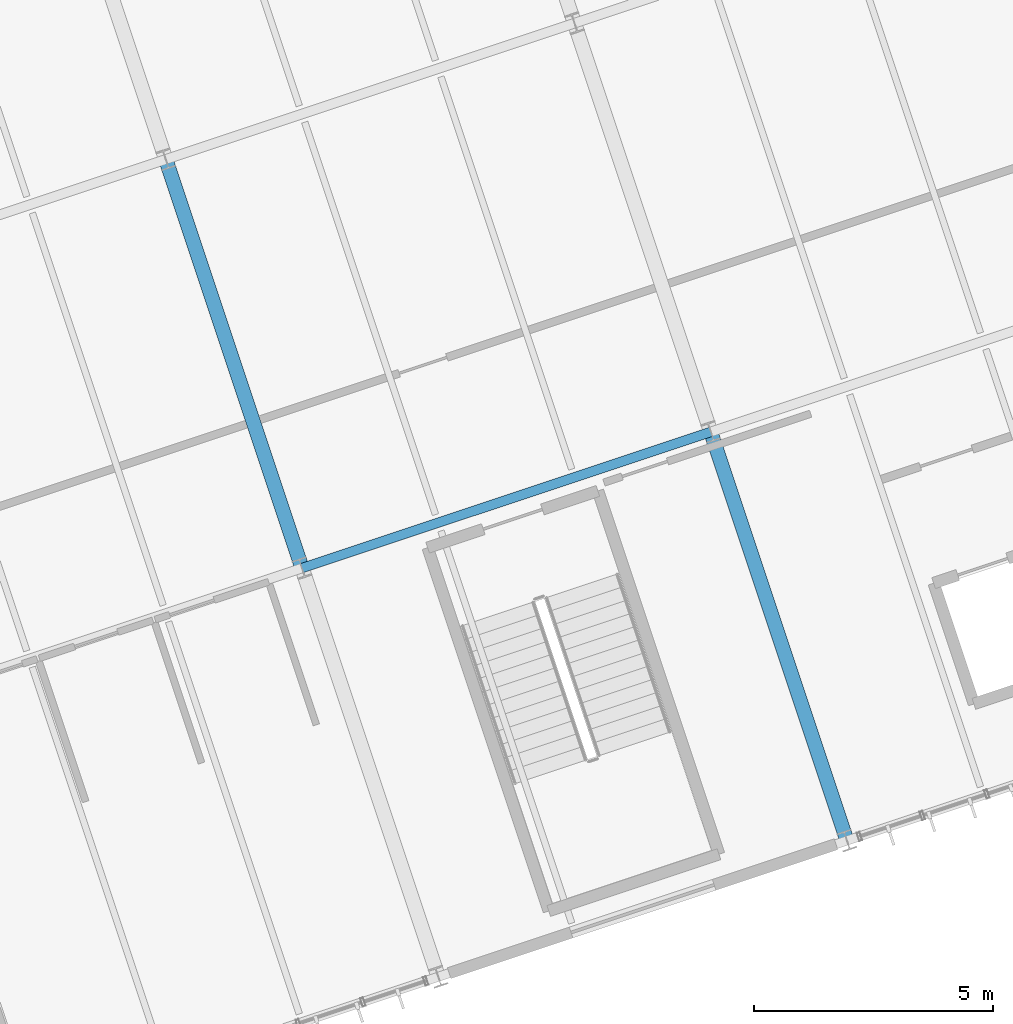
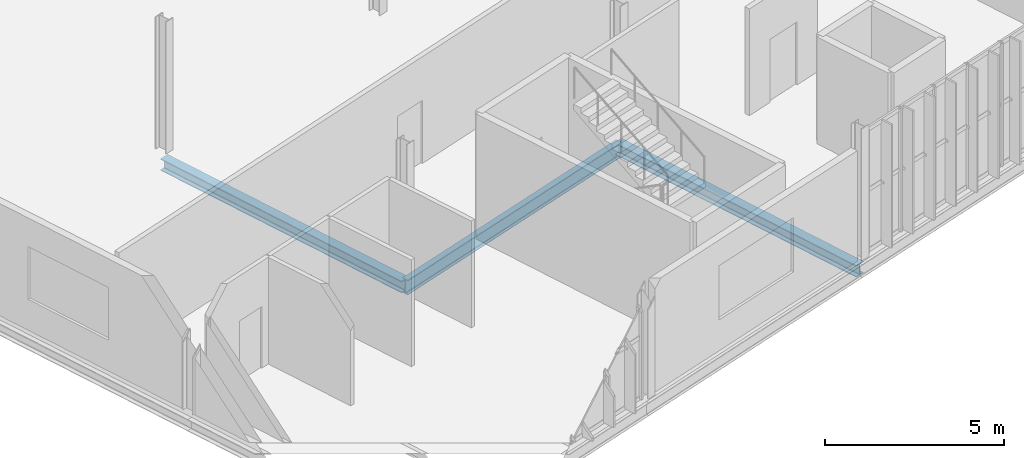
# One storey, part 30 of 152: 3 beams.
"""IFC4 building model written with IfcOpenShell, lengths in metres."""

import ifcopenshell
import ifcopenshell.guid

model = None  # the IFC model being written
_history = None  # IfcOwnerHistory: only IFC2X3 demands one
_inside = {}  # id of a spatial element -> (the spatial element, [elements in it])
_under = {}  # id of a project, library or spatial element -> (it, [spatial elements below it])
_declared = {}  # id of a project -> (the project, [libraries it declares])
_typed = {}  # id of a type object -> (the type object, [elements of that type])
_made_of = {}  # id of a material, layer set ... -> (it, [elements and type objects made of it])


def new_model(schema):
    """Start an empty IFC model of exactly this schema.

    Asked for "IFC4X3", IfcOpenShell would pick the latest addendum, in which some entities
    have other attributes; the version numbers below select the first issue.
    IFC2X3 requires an IfcOwnerHistory on every rooted entity: one is made here for all.
    """
    global model, _history
    if schema == "IFC4X3":
        model = ifcopenshell.file(schema_version=(4, 3, 0, 0))
    else:
        model = ifcopenshell.file(schema=schema)
    _inside.clear()
    _under.clear()
    _declared.clear()
    _typed.clear()
    _made_of.clear()
    _history = None
    if model.schema == "IFC2X3":
        org = make("IfcOrganization", Name="unknown")
        user = make(
            "IfcPersonAndOrganization",
            ThePerson=make("IfcPerson", FamilyName="unknown"),
            TheOrganization=org,
        )
        app = make(
            "IfcApplication",
            ApplicationDeveloper=org,
            Version="unknown",
            ApplicationFullName="unknown",
            ApplicationIdentifier="unknown",
        )
        _history = make(
            "IfcOwnerHistory",
            OwningUser=user,
            OwningApplication=app,
            ChangeAction="ADDED",
            CreationDate=0,
        )
    return model


def make(cls, **values):
    """One entity of the class cls with the attributes given. An attribute that is None is left unset."""
    return model.create_entity(
        cls, **{name: value for name, value in values.items() if value is not None}
    )


def rooted(cls, **values):
    """An entity with a GlobalId (a new one), such as an element, a storey or a relation."""
    return make(cls, GlobalId=ifcopenshell.guid.new(), OwnerHistory=_history, **values)


def si_unit(unit_type, name, prefix=None):
    """IfcSIUnit, for example si_unit("LENGTHUNIT", "METRE", prefix="MILLI")."""
    return make("IfcSIUnit", UnitType=unit_type, Prefix=prefix, Name=name)


def derived_unit(unit_type, elements):
    """IfcDerivedUnit: a product of units, each with its exponent."""
    return make(
        "IfcDerivedUnit",
        Elements=[
            make("IfcDerivedUnitElement", Unit=unit, Exponent=power)
            for unit, power in elements
        ],
        UnitType=unit_type,
    )


def assignment(units):
    """IfcUnitAssignment: the units of a project."""
    return None if units is None else make("IfcUnitAssignment", Units=units)


def point(xyz):
    """IfcCartesianPoint."""
    return None if xyz is None else make("IfcCartesianPoint", Coordinates=xyz)


def direction(xyz):
    """IfcDirection."""
    return None if xyz is None else make("IfcDirection", DirectionRatios=xyz)


def frame(location, z_axis=None, x_axis=None):
    """IfcAxis2Placement3D, a coordinate frame: its origin and axes. An axis left out is left unset."""
    return make(
        "IfcAxis2Placement3D",
        Location=point(location),
        Axis=direction(z_axis),
        RefDirection=direction(x_axis),
    )


def frame_2d(location, x_axis=None):
    """IfcAxis2Placement2D, a coordinate frame in the plane: its origin and x axis."""
    return make(
        "IfcAxis2Placement2D", Location=point(location), RefDirection=direction(x_axis)
    )


def origin():
    """The frame at (0, 0, 0) with its axes left unset."""
    return frame((0.0, 0.0, 0.0))


def origin_2d():
    """The frame at (0, 0) in the plane with its x axis left unset."""
    return frame_2d((0.0, 0.0))


def place(relative_to, where):
    """IfcLocalPlacement: puts the frame where relative to a parent placement (None: the world)."""
    return make(
        "IfcLocalPlacement", PlacementRelTo=relative_to, RelativePlacement=where
    )


def context(
    kind, dimensions, precision=None, world=None, true_north=None, identifier=None
):
    """IfcGeometricRepresentationContext, for example the 3D "Model" context."""
    return make(
        "IfcGeometricRepresentationContext",
        ContextIdentifier=identifier,
        ContextType=kind,
        CoordinateSpaceDimension=dimensions,
        Precision=precision,
        WorldCoordinateSystem=world,
        TrueNorth=true_north,
    )


def subcontext(parent, identifier, kind, view, scale=None):
    """IfcGeometricRepresentationSubContext, for example "Body" below "Model"."""
    return make(
        "IfcGeometricRepresentationSubContext",
        ContextIdentifier=identifier,
        ContextType=kind,
        ParentContext=parent,
        TargetScale=scale,
        TargetView=view,
    )


def project(units=None, contexts=None):
    """IfcProject with its units and contexts."""
    return rooted(
        "IfcProject",
        Name="project",
        RepresentationContexts=contexts,
        UnitsInContext=assignment(units),
    )


def spatial(cls, under=None, at=None, **own):
    """A site, building, storey or space (cls), placed at a placement, below another one or the project."""
    s = rooted(cls, ObjectPlacement=at, **own)
    if under is not None:
        _under.setdefault(under.id(), (under, []))[1].append(s)
    return s


def profile(cls, at=None, kind="AREA", **sizes):
    """A parametric profile (cls). Its sizes go by their IFC names, for example OverallWidth=200.0."""
    return make(cls, ProfileType=kind, Position=at, **sizes)


def i_section(**sizes):
    """IfcIShapeProfileDef."""
    return profile("IfcIShapeProfileDef", **sizes)


def extrude(swept, where, along, depth):
    """IfcExtrudedAreaSolid: the profile swept, set in the frame where, extruded along a direction by depth."""
    return make(
        "IfcExtrudedAreaSolid",
        SweptArea=swept,
        Position=where,
        ExtrudedDirection=direction(along),
        Depth=depth,
    )


def shape(context_of_items, identifier, shape_type, items):
    """IfcShapeRepresentation: the items that make up one representation, for example the "Body"."""
    return make(
        "IfcShapeRepresentation",
        ContextOfItems=context_of_items,
        RepresentationIdentifier=identifier,
        RepresentationType=shape_type,
        Items=items,
    )


def material(Name=None, Category=None):
    """IfcMaterial."""
    return make("IfcMaterial", Name=Name, Category=Category)


def material_profile(
    of_material, cross_section, Name=None, Category=None, Priority=None
):
    """IfcMaterialProfile: a cross section and its material."""
    return make(
        "IfcMaterialProfile",
        Name=Name,
        Material=of_material,
        Profile=cross_section,
        Priority=Priority,
        Category=Category,
    )


def profile_set(profiles, Name=None, composite=None):
    """IfcMaterialProfileSet."""
    return make(
        "IfcMaterialProfileSet",
        Name=Name,
        MaterialProfiles=profiles,
        CompositeProfile=composite,
    )


def made_of(thing, what):
    """Note that an element or type object is made of a material, layer set ...; save() writes the relation."""
    if what is not None:
        _made_of.setdefault(what.id(), (what, []))[1].append(thing)
    return thing


def type_object(cls, material=None, **own):
    """A type object (cls), such as IfcWallType, which elements share."""
    return made_of(rooted(cls, **own), material)


def element(
    cls,
    number,
    at=None,
    inside=None,
    cuts=None,
    type_object=None,
    material=None,
    context=None,
    identifier="Body",
    shape_type=None,
    held_by="IfcProductDefinitionShape",
    body=None,
    shapes=None,
    **own,
):
    """One element of the class cls, such as IfcWall. Its Tag is "e" and its number.

    at: its placement. inside: the storey or other place that contains it. cuts: it is an
    opening in that element (IfcRelVoidsElement). A single representation is given by context,
    identifier, shape_type and body (its items); several are given by shapes. held_by: the class
    of the entity that holds the representations. save() writes the other relations.
    """
    e = rooted(cls, Tag="e%d" % number, ObjectPlacement=at, **own)
    if body is not None:
        shapes = [shape(context, identifier, shape_type, body)]
    if shapes is not None:
        e.Representation = make(held_by, Representations=shapes)
    if inside is not None:
        _inside.setdefault(inside.id(), (inside, []))[1].append(e)
    if cuts is not None:
        rooted(
            "IfcRelVoidsElement", RelatingBuildingElement=cuts, RelatedOpeningElement=e
        )
    if type_object is not None:
        _typed.setdefault(type_object.id(), (type_object, []))[1].append(e)
    return made_of(e, material)


def aggregate(whole, parts):
    """IfcRelAggregates: a whole, such as a stair, and the parts it consists of."""
    return rooted("IfcRelAggregates", RelatingObject=whole, RelatedObjects=parts)


def save(model, path):
    """Write the relations noted so far, then the file.

    IfcRelAggregates (storeys below a building ...), IfcRelContainedInSpatialStructure (elements
    in a storey), IfcRelDefinesByType, IfcRelAssociatesMaterial and IfcRelDeclares: one each for
    every whole, place, type object, material and project.
    """
    for whole, parts in _under.values():
        aggregate(whole, parts)
    for where, things in _inside.values():
        rooted(
            "IfcRelContainedInSpatialStructure",
            RelatedElements=things,
            RelatingStructure=where,
        )
    for kind, things in _typed.values():
        rooted("IfcRelDefinesByType", RelatedObjects=things, RelatingType=kind)
    for what, things in _made_of.values():
        rooted("IfcRelAssociatesMaterial", RelatedObjects=things, RelatingMaterial=what)
    for by, libraries in _declared.values():
        rooted("IfcRelDeclares", RelatingContext=by, RelatedDefinitions=libraries)
    model.write(path)


model = new_model("IFC4")

# Units and contexts
model_context = context("Model", 3, precision=1e-05, world=origin(), true_north=direction((0.0, 1.0)))
body_context = subcontext(model_context, "Body", "Model", "MODEL_VIEW")
ifc_project = project(units=[si_unit("LENGTHUNIT", "METRE"), si_unit("AREAUNIT", "SQUARE_METRE"), si_unit("VOLUMEUNIT", "CUBIC_METRE"), si_unit("PLANEANGLEUNIT", "RADIAN"), si_unit("MASSUNIT", "GRAM", prefix="KILO"), si_unit("THERMODYNAMICTEMPERATUREUNIT", "KELVIN"), si_unit("TIMEUNIT", "SECOND"), derived_unit("THERMALTRANSMITTANCEUNIT", [(si_unit("MASSUNIT", "GRAM", prefix="KILO"), 1), (si_unit("THERMODYNAMICTEMPERATUREUNIT", "KELVIN"), -1), (si_unit("TIMEUNIT", "SECOND"), -3)])], contexts=[model_context])

# Site, building, storey
site_placement = place(None, origin())
site = spatial("IfcSite", under=ifc_project, at=site_placement, CompositionType="ELEMENT")
building_placement = place(site_placement, origin())
building = spatial("IfcBuilding", under=site, at=building_placement, Name="Cambertide Market Hall", CompositionType="ELEMENT")
storey_placement = place(building_placement, frame((0.0, 0.0, 5.39990234375)))
storey = spatial("IfcBuildingStorey", under=building, at=storey_placement, Name="L02", CompositionType="ELEMENT", Elevation=5.39990234375)

# Beams
ifc_material_1 = material(Name="Steel S355", Category="steel")
ifc_material_profile_1 = material_profile(ifc_material_1, i_section(OverallWidth=0.300048828125, OverallDepth=0.39990234375, WebThickness=0.013427734375, FlangeThickness=0.02392578125, FilletRadius=0.027099609375, at=origin_2d()), Name="HEB 400")
ifc_profile_set_1 = profile_set([ifc_material_profile_1], Name="Steel S355")
beam_type_1 = type_object("IfcBeamType", Name="Steel Girder HEB 400", PredefinedType="BEAM", material=ifc_profile_set_1)
for number, where, z_axis, x_axis, name in (
    (1, (111.692138671875, 23.38427734375, -0.449951171875), (-0.31624404204, 0.948677872554, 0.0), (-0.948677872554, -0.31624404204, 0.0), "Level 2 Beam BM-V3V-L02-2-2"),
    (2, (123.076416015625, 17.692138671875, -0.449951171875), (-0.31624404204, 0.948677872554, 0.0), (-0.948677872554, -0.31624404204, 0.0), "Level 2 Beam BM-V3V-L02-3-1"),
):
    element("IfcBeam", number, at=place(storey_placement, frame(where, z_axis=z_axis, x_axis=x_axis)), inside=storey, type_object=beam_type_1, Name=name, PredefinedType="BEAM", context=body_context, shape_type="SweptSolid", body=[
        extrude(i_section(OverallWidth=0.300048828125, OverallDepth=0.39990234375, WebThickness=0.013427734375, FlangeThickness=0.02392578125, FilletRadius=0.027099609375, at=origin_2d()), origin(), (0.0, 0.0, 1.0), 9.0),
    ])
ifc_material_2 = material(Name="Steel S355", Category="steel")
ifc_material_profile_2 = material_profile(ifc_material_2, i_section(OverallWidth=0.199951171875, OverallDepth=0.5, WebThickness=0.01025390625, FlangeThickness=0.01611328125, FilletRadius=0.02099609375, at=origin_2d()), Name="IPE 500")
ifc_profile_set_2 = profile_set([ifc_material_profile_2], Name="Steel S355")
beam_type_2 = type_object("IfcBeamType", Name="Steel Girder IPE 500", PredefinedType="BEAM", material=ifc_profile_set_2)
beam_placement = place(storey_placement, frame((111.692138671875, 23.38427734375, -0.5), z_axis=(0.948686010717, 0.3162196279, 0.0), x_axis=(-0.3162196279, 0.948686010717, 0.0)))
element("IfcBeam", 3, at=beam_placement, inside=storey, type_object=beam_type_2, Name="Level 2 Beam BM-V3U-L02-2-2", PredefinedType="BEAM", context=body_context, shape_type="SweptSolid", body=[
    extrude(i_section(OverallWidth=0.199951171875, OverallDepth=0.5, WebThickness=0.01025390625, FlangeThickness=0.01611328125, FilletRadius=0.02099609375, at=origin_2d()), origin(), (0.0, 0.0, 1.0), 9.0),
])

save(model, "model.ifc")
